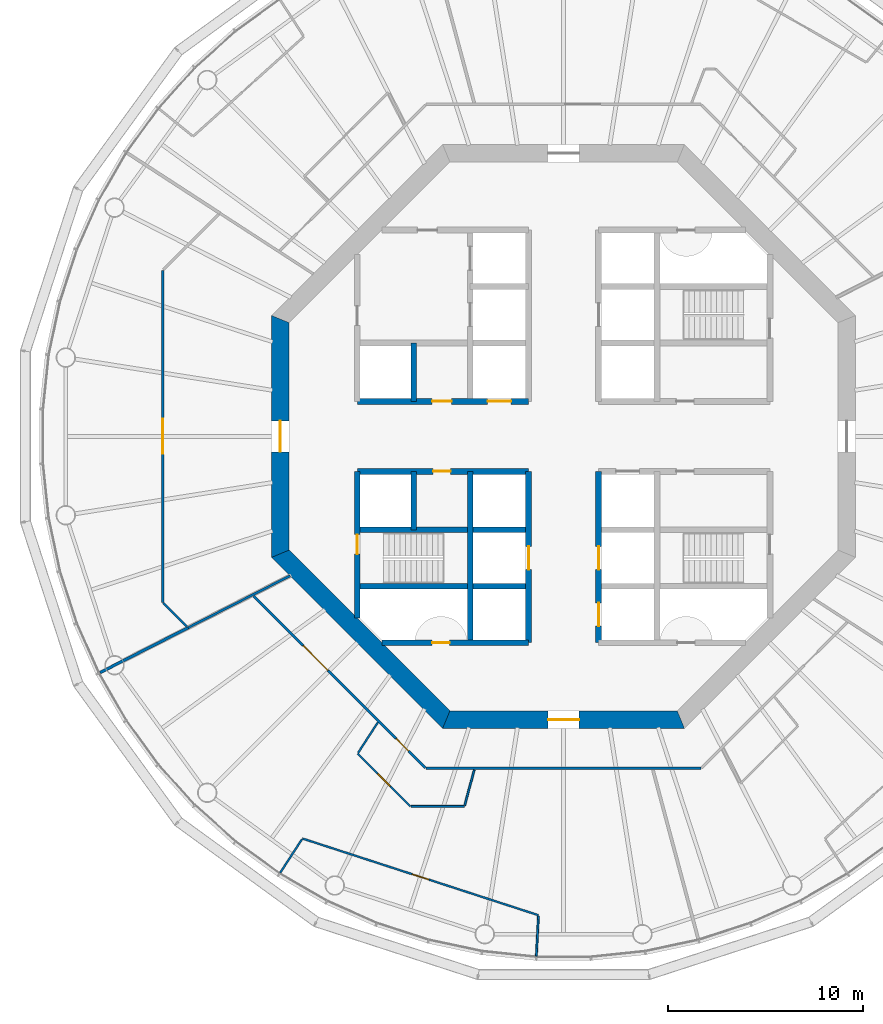
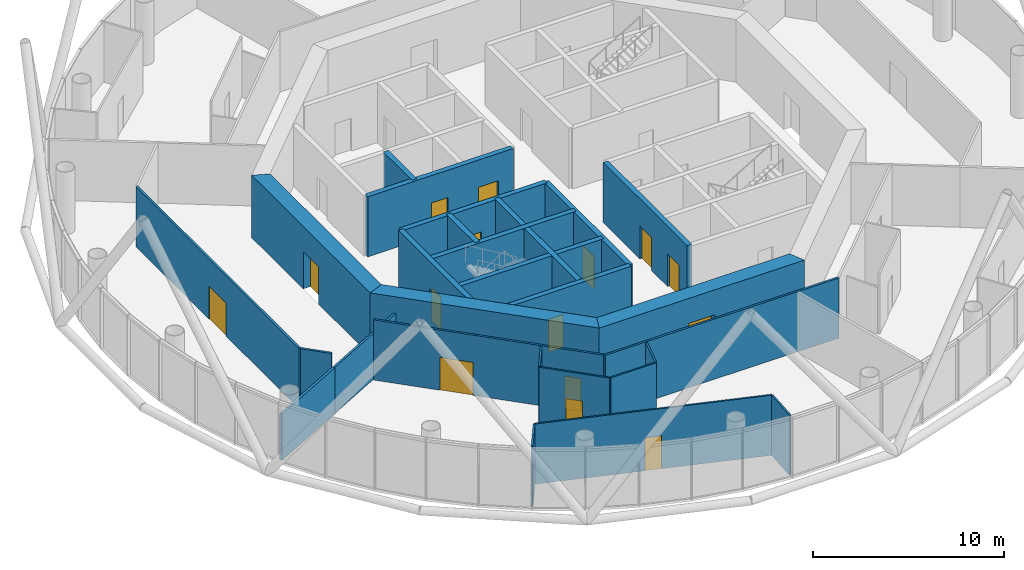
# One storey, part 3 of 13: 27 walls, 15 doors, 15 openings.
"""IFC4 building model written with IfcOpenShell, lengths in metres."""

from ifc_helpers import new_model, si_unit, direction, frame, frame_2d, origin, place, context, subcontext, project, spatial, polyline, rectangle, outline, extrude, material, layer, layer_set, type_object, element, fill, save


model = new_model("IFC4")

# Units and contexts
model_context = context("Model", 3, precision=1e-05, world=origin(), true_north=direction((0.0, 1.0)))
body_context = subcontext(model_context, "Body", "Model", "MODEL_VIEW")
ifc_project = project(units=[si_unit("LENGTHUNIT", "METRE"), si_unit("AREAUNIT", "SQUARE_METRE"), si_unit("VOLUMEUNIT", "CUBIC_METRE"), si_unit("PLANEANGLEUNIT", "RADIAN"), si_unit("MASSUNIT", "GRAM", prefix="KILO")], contexts=[model_context])

# Site, building, storey
site_placement = place(None, origin())
site = spatial("IfcSite", under=ifc_project, at=site_placement, CompositionType="ELEMENT")
building_placement = place(site_placement, origin())
building = spatial("IfcBuilding", under=site, at=building_placement, Name="Entoto Ring Tower", CompositionType="ELEMENT")
storey_placement = place(building_placement, frame((0.0, 0.0, 218.0)))
storey = spatial("IfcBuildingStorey", under=building, at=storey_placement, Name="L50", CompositionType="ELEMENT", Elevation=218.0)

# Wall, openings, doors
ifc_material_1 = material(Name="Concrete C40/50", Category="concrete")
ifc_layer_1 = layer(ifc_material_1, 0.300048828125)
ifc_layer_set_1 = layer_set([ifc_layer_1], Name="Concrete C40/50")
wall_type_1 = type_object("IfcWallType", Name="Core enclosure wall 300 mm reinforced concrete", PredefinedType="SOLIDWALL", material=ifc_layer_set_1)
wall_1_placement = place(storey_placement, frame((91.800048828125, 69.39990234375, 0.0), z_axis=(0.0, 0.0, 1.0), x_axis=(0.0, 1.0, 0.0)))
wall_1 = element("IfcWall", 1, at=wall_1_placement, inside=storey, type_object=wall_type_1, Name="wall-L50-005", PredefinedType="SOLIDWALL", context=body_context, shape_type="SweptSolid", body=[
    extrude(rectangle(XDim=8.800048828125, YDim=0.300048828125, at=frame_2d((4.39990234375, 0.0))), origin(), (0.0, 0.0, 1.0), 3.85009765625),
])
opening_1_placement = place(wall_1_placement, frame((3.75, 0.0, 0.0)))
opening_1 = element("IfcOpeningElement", 2, at=opening_1_placement, cuts=wall_1, Name="Opening LD", PredefinedType="OPENING", context=body_context, shape_type="SweptSolid", body=[
    extrude(rectangle(XDim=1.199951171875, YDim=2.10009765625, at=frame_2d((0.60009765625, 1.050048828125))), frame((0.0, 0.16015625, 0.0), z_axis=(0.0, -1.0, 0.0), x_axis=(1.0, 0.0, 0.0)), (0.0, 0.0, 1.0), 0.320068359375),
])
opening_2_placement = place(wall_1_placement, frame((0.85009765625, 0.0, 0.0)))
opening_2 = element("IfcOpeningElement", 3, at=opening_2_placement, cuts=wall_1, Name="Opening LD", PredefinedType="OPENING", context=body_context, shape_type="SweptSolid", body=[
    extrude(rectangle(XDim=1.199951171875, YDim=2.10009765625, at=frame_2d((0.60009765625, 1.050048828125))), frame((0.0, 0.16015625, 0.0), z_axis=(0.0, -1.0, 0.0), x_axis=(1.0, 0.0, 0.0)), (0.0, 0.0, 1.0), 0.320068359375),
])
ifc_material_2 = material(Name="Steel and glass door leaf", Category="steel")
ifc_layer_2 = layer(ifc_material_2, 0.050048828125)
ifc_layer_set_2 = layer_set([ifc_layer_2], Name="Steel and glass door leaf")
door_type_1 = type_object("IfcDoorType", Name="Landing door 1200 x 2100 sliding", OperationType="DOUBLE_DOOR_SLIDING", PredefinedType="DOOR", material=ifc_layer_set_2)
door_1_placement = place(opening_1_placement, origin())
door_1 = element("IfcDoor", 4, at=door_1_placement, inside=storey, type_object=door_type_1, Name="Landing door LB2-MR", OperationType="SLIDING_TO_RIGHT", OverallHeight=2.10009765625, OverallWidth=1.199951171875, PredefinedType="DOOR", context=body_context, shape_type="SweptSolid", body=[
    extrude(rectangle(XDim=1.199951171875, YDim=2.10009765625, at=frame_2d((0.60009765625, 1.050048828125))), frame((0.0, 0.02490234375, 0.0), z_axis=(0.0, -1.0, 0.0), x_axis=(1.0, 0.0, 0.0)), (0.0, 0.0, 1.0), 0.050048828125),
])
fill(opening_1, door_1)
door_2_placement = place(opening_2_placement, origin())
door_2 = element("IfcDoor", 5, at=door_2_placement, inside=storey, type_object=door_type_1, Name="Landing door LB3-MR", OperationType="SLIDING_TO_RIGHT", OverallHeight=2.10009765625, OverallWidth=1.199951171875, PredefinedType="DOOR", context=body_context, shape_type="SweptSolid", body=[
    extrude(rectangle(XDim=1.199951171875, YDim=2.10009765625, at=frame_2d((0.60009765625, 1.050048828125))), frame((0.0, 0.02490234375, 0.0), z_axis=(0.0, -1.0, 0.0), x_axis=(1.0, 0.0, 0.0)), (0.0, 0.0, 1.0), 0.050048828125),
])
fill(opening_2, door_2)

# Wall, opening, door
wall_2_placement = place(storey_placement, frame((88.199951171875, 69.39990234375, 0.0), z_axis=(0.0, 0.0, 1.0), x_axis=(0.0, 1.0, 0.0)))
wall_2 = element("IfcWall", 6, at=wall_2_placement, inside=storey, type_object=wall_type_1, Name="wall-L50-007", PredefinedType="SOLIDWALL", context=body_context, shape_type="SweptSolid", body=[
    extrude(rectangle(XDim=8.800048828125, YDim=0.300048828125, at=frame_2d((4.39990234375, 0.0))), origin(), (0.0, 0.0, 1.0), 3.85009765625),
])
opening_3_placement = place(wall_2_placement, frame((3.75, 0.0, 0.0)))
opening_3 = element("IfcOpeningElement", 7, at=opening_3_placement, cuts=wall_2, Name="Opening LD", PredefinedType="OPENING", context=body_context, shape_type="SweptSolid", body=[
    extrude(rectangle(XDim=1.199951171875, YDim=2.10009765625, at=frame_2d((0.60009765625, 1.050048828125))), frame((0.0, 0.16015625, 0.0), z_axis=(0.0, -1.0, 0.0), x_axis=(1.0, 0.0, 0.0)), (0.0, 0.0, 1.0), 0.320068359375),
])
door_3_placement = place(opening_3_placement, origin())
door_3 = element("IfcDoor", 8, at=door_3_placement, inside=storey, type_object=door_type_1, Name="Landing door LB4-MR", OperationType="SLIDING_TO_RIGHT", OverallHeight=2.10009765625, OverallWidth=1.199951171875, PredefinedType="DOOR", context=body_context, shape_type="SweptSolid", body=[
    extrude(rectangle(XDim=1.199951171875, YDim=2.10009765625, at=frame_2d((0.60009765625, 1.050048828125))), frame((0.0, 0.02490234375, 0.0), z_axis=(0.0, -1.0, 0.0), x_axis=(1.0, 0.0, 0.0)), (0.0, 0.0, 1.0), 0.050048828125),
])
fill(opening_3, door_3)

# Walls
wall_3_placement = place(storey_placement, frame((85.199951171875, 69.39990234375, 0.0), z_axis=(0.0, 0.0, 1.0), x_axis=(0.0, 1.0, 0.0)))
element("IfcWall", 9, at=wall_3_placement, inside=storey, type_object=wall_type_1, Name="wall-L50-009", PredefinedType="SOLIDWALL", context=body_context, shape_type="SweptSolid", body=[
    extrude(rectangle(XDim=8.800048828125, YDim=0.300048828125, at=frame_2d((4.39990234375, 0.0))), origin(), (0.0, 0.0, 1.0), 3.85009765625),
])
for number, where, z_axis, x_axis, name in (
    (10, (82.300048828125, 75.199951171875, 0.0), (0.0, 0.0, 1.0), (0.0, 1.0, 0.0), "wall-L50-011"),
    (11, (82.300048828125, 81.800048828125, 0.0), (0.0, 0.0, 1.0), (0.0, 1.0, 0.0), "wall-L50-012"),
):
    element("IfcWall", number, at=place(storey_placement, frame(where, z_axis=z_axis, x_axis=x_axis)), inside=storey, type_object=wall_type_1, Name=name, PredefinedType="SOLIDWALL", context=body_context, shape_type="SweptSolid", body=[
        extrude(rectangle(XDim=3.0, YDim=0.300048828125, at=frame_2d((1.5, 0.0))), origin(), (0.0, 0.0, 1.0), 3.85009765625),
    ])

# Wall, opening, door
wall_4_placement = place(storey_placement, frame((79.39990234375, 70.65966796875, 0.0), z_axis=(0.0, 0.0, 1.0), x_axis=(0.0, 1.0, 0.0)))
wall_4 = element("IfcWall", 12, at=wall_4_placement, inside=storey, type_object=wall_type_1, Name="wall-L50-013", PredefinedType="SOLIDWALL", context=body_context, shape_type="SweptSolid", body=[
    extrude(rectangle(XDim=7.540283203125, YDim=0.300048828125, at=frame_2d((3.77001953125, 0.0))), origin(), (0.0, 0.0, 1.0), 3.85009765625),
])
opening_4_placement = place(wall_4_placement, frame((3.290283203125, 0.0, 0.0)))
opening_4 = element("IfcOpeningElement", 13, at=opening_4_placement, cuts=wall_4, Name="Opening K-55", PredefinedType="OPENING", context=body_context, shape_type="SweptSolid", body=[
    extrude(rectangle(XDim=1.0, YDim=2.10009765625, at=frame_2d((0.5, 1.050048828125))), frame((0.0, 0.16015625, 0.0), z_axis=(0.0, -1.0, 0.0), x_axis=(1.0, 0.0, 0.0)), (0.0, 0.0, 1.0), 0.320068359375),
])
ifc_material_3 = material(Name="Steel door leaf, fire rated", Category="steel")
ifc_layer_3 = layer(ifc_material_3, 0.050048828125)
ifc_layer_set_3 = layer_set([ifc_layer_3], Name="Steel door leaf, fire rated")
door_type_2 = type_object("IfcDoorType", Name="Fire door FD60 1000 x 2100 single leaf", OperationType="NOTDEFINED", PredefinedType="DOOR", material=ifc_layer_set_3)
door_4_placement = place(opening_4_placement, frame((1.0, 0.0, 0.0), z_axis=(0.0, 0.0, 1.0), x_axis=(-1.0, 0.0, 0.0)))
door_4 = element("IfcDoor", 14, at=door_4_placement, inside=storey, type_object=door_type_2, Name="Door K-55", OperationType="SINGLE_SWING_LEFT", OverallHeight=2.10009765625, OverallWidth=1.0, PredefinedType="DOOR", context=body_context, shape_type="SweptSolid", body=[
    extrude(rectangle(XDim=1.0, YDim=2.10009765625, at=frame_2d((0.5, 1.050048828125))), frame((0.0, 0.02490234375, 0.0), z_axis=(0.0, -1.0, 0.0), x_axis=(1.0, 0.0, 0.0)), (0.0, 0.0, 1.0), 0.050048828125),
])
fill(opening_4, door_4)

wall_5_placement = place(storey_placement, frame((80.65966796875, 69.39990234375, 0.0), z_axis=(0.0, 0.0, 1.0), x_axis=(1.0, 0.0, 0.0)))
wall_5 = element("IfcWall", 15, at=wall_5_placement, inside=storey, type_object=wall_type_1, Name="wall-L50-015", PredefinedType="SOLIDWALL", context=body_context, shape_type="SweptSolid", body=[
    extrude(rectangle(XDim=7.540283203125, YDim=0.300048828125, at=frame_2d((3.77001953125, 0.0))), origin(), (0.0, 0.0, 1.0), 3.85009765625),
])
opening_5_placement = place(wall_5_placement, frame((2.59033203125, 0.0, 0.0)))
opening_5 = element("IfcOpeningElement", 16, at=opening_5_placement, cuts=wall_5, Name="Opening K-62", PredefinedType="OPENING", context=body_context, shape_type="SweptSolid", body=[
    extrude(rectangle(XDim=0.89990234375, YDim=2.10009765625, at=frame_2d((0.449951171875, 1.050048828125))), frame((0.0, 0.16015625, 0.0), z_axis=(0.0, -1.0, 0.0), x_axis=(1.0, 0.0, 0.0)), (0.0, 0.0, 1.0), 0.320068359375),
])
ifc_material_4 = material(Name="Steel door leaf, fire rated", Category="steel")
ifc_layer_4 = layer(ifc_material_4, 0.050048828125)
ifc_layer_set_4 = layer_set([ifc_layer_4], Name="Steel door leaf, fire rated")
door_type_3 = type_object("IfcDoorType", Name="Riser door FD60 900 x 2100 single leaf", OperationType="NOTDEFINED", PredefinedType="DOOR", material=ifc_layer_set_4)
door_5_placement = place(opening_5_placement, origin())
door_5 = element("IfcDoor", 17, at=door_5_placement, inside=storey, type_object=door_type_3, Name="Door K-62", OperationType="SINGLE_SWING_RIGHT", OverallHeight=2.10009765625, OverallWidth=0.89990234375, PredefinedType="DOOR", context=body_context, shape_type="SweptSolid", body=[
    extrude(rectangle(XDim=0.89990234375, YDim=2.10009765625, at=frame_2d((0.449951171875, 1.050048828125))), frame((0.0, 0.02490234375, 0.0), z_axis=(0.0, -1.0, 0.0), x_axis=(1.0, 0.0, 0.0)), (0.0, 0.0, 1.0), 0.050048828125),
])
fill(opening_5, door_5)

# Walls
for number, where, z_axis, x_axis, name in (
    (18, (79.39990234375, 72.300048828125, 0.0), (0.0, 0.0, 1.0), (1.0, 0.0, 0.0), "wall-L50-017"),
    (19, (79.39990234375, 75.199951171875, 0.0), (0.0, 0.0, 1.0), (1.0, 0.0, 0.0), "wall-L50-019"),
):
    element("IfcWall", number, at=place(storey_placement, frame(where, z_axis=z_axis, x_axis=x_axis)), inside=storey, type_object=wall_type_1, Name=name, PredefinedType="SOLIDWALL", context=body_context, shape_type="SweptSolid", body=[
        extrude(rectangle(XDim=8.800048828125, YDim=0.300048828125, at=frame_2d((4.39990234375, 0.0))), origin(), (0.0, 0.0, 1.0), 3.85009765625),
    ])

# Wall, opening, door
wall_6_placement = place(storey_placement, frame((79.39990234375, 78.199951171875, 0.0), z_axis=(0.0, 0.0, 1.0), x_axis=(1.0, 0.0, 0.0)))
wall_6 = element("IfcWall", 20, at=wall_6_placement, inside=storey, type_object=wall_type_1, Name="wall-L50-021", PredefinedType="SOLIDWALL", context=body_context, shape_type="SweptSolid", body=[
    extrude(rectangle(XDim=8.800048828125, YDim=0.300048828125, at=frame_2d((4.39990234375, 0.0))), origin(), (0.0, 0.0, 1.0), 3.85009765625),
])
opening_6_placement = place(wall_6_placement, frame((3.89990234375, 0.0, 0.0)))
opening_6 = element("IfcOpeningElement", 21, at=opening_6_placement, cuts=wall_6, Name="Opening K-14", PredefinedType="OPENING", context=body_context, shape_type="SweptSolid", body=[
    extrude(rectangle(XDim=0.89990234375, YDim=2.10009765625, at=frame_2d((0.449951171875, 1.050048828125))), frame((0.0, 0.16015625, 0.0), z_axis=(0.0, -1.0, 0.0), x_axis=(1.0, 0.0, 0.0)), (0.0, 0.0, 1.0), 0.320068359375),
])
ifc_material_5 = material(Name="Steel door leaf, fire rated", Category="steel")
ifc_layer_5 = layer(ifc_material_5, 0.050048828125)
ifc_layer_set_5 = layer_set([ifc_layer_5], Name="Steel door leaf, fire rated")
door_type_4 = type_object("IfcDoorType", Name="Core door 900 x 2100 single leaf", OperationType="NOTDEFINED", PredefinedType="DOOR", material=ifc_layer_set_5)
door_6_placement = place(opening_6_placement, frame((0.89990234375, 0.0, 0.0), z_axis=(0.0, 0.0, 1.0), x_axis=(-1.0, 0.0, 0.0)))
door_6 = element("IfcDoor", 22, at=door_6_placement, inside=storey, type_object=door_type_4, Name="Door K-14", OperationType="SINGLE_SWING_LEFT", OverallHeight=2.10009765625, OverallWidth=0.89990234375, PredefinedType="DOOR", context=body_context, shape_type="SweptSolid", body=[
    extrude(rectangle(XDim=0.89990234375, YDim=2.10009765625, at=frame_2d((0.449951171875, 1.050048828125))), frame((0.0, 0.02490234375, 0.0), z_axis=(0.0, -1.0, 0.0), x_axis=(1.0, 0.0, 0.0)), (0.0, 0.0, 1.0), 0.050048828125),
])
fill(opening_6, door_6)

# Wall, openings, doors
wall_7_placement = place(storey_placement, frame((79.39990234375, 81.800048828125, 0.0), z_axis=(0.0, 0.0, 1.0), x_axis=(1.0, 0.0, 0.0)))
wall_7 = element("IfcWall", 23, at=wall_7_placement, inside=storey, type_object=wall_type_1, Name="wall-L50-023", PredefinedType="SOLIDWALL", context=body_context, shape_type="SweptSolid", body=[
    extrude(rectangle(XDim=8.800048828125, YDim=0.300048828125, at=frame_2d((4.39990234375, 0.0))), origin(), (0.0, 0.0, 1.0), 3.85009765625),
])
opening_7_placement = place(wall_7_placement, frame((6.699951171875, 0.0, 0.0)))
opening_7 = element("IfcOpeningElement", 24, at=opening_7_placement, cuts=wall_7, Name="Opening LD", PredefinedType="OPENING", context=body_context, shape_type="SweptSolid", body=[
    extrude(rectangle(XDim=1.199951171875, YDim=2.10009765625, at=frame_2d((0.60009765625, 1.050048828125))), frame((0.0, 0.16015625, 0.0), z_axis=(0.0, -1.0, 0.0), x_axis=(1.0, 0.0, 0.0)), (0.0, 0.0, 1.0), 0.320068359375),
])
opening_8_placement = place(wall_7_placement, frame((3.85009765625, 0.0, 0.0)))
opening_8 = element("IfcOpeningElement", 25, at=opening_8_placement, cuts=wall_7, Name="Opening K-13", PredefinedType="OPENING", context=body_context, shape_type="SweptSolid", body=[
    extrude(rectangle(XDim=1.0, YDim=2.10009765625, at=frame_2d((0.5, 1.050048828125))), frame((0.0, 0.16015625, 0.0), z_axis=(0.0, -1.0, 0.0), x_axis=(1.0, 0.0, 0.0)), (0.0, 0.0, 1.0), 0.320068359375),
])
ifc_material_6 = material(Name="Steel door leaf, fire rated", Category="steel")
ifc_layer_6 = layer(ifc_material_6, 0.050048828125)
ifc_layer_set_6 = layer_set([ifc_layer_6], Name="Steel door leaf, fire rated")
door_type_5 = type_object("IfcDoorType", Name="Accessible door 1000 x 2100 single leaf", OperationType="NOTDEFINED", PredefinedType="DOOR", material=ifc_layer_set_6)
door_7_placement = place(opening_8_placement, origin())
door_7 = element("IfcDoor", 26, at=door_7_placement, inside=storey, type_object=door_type_5, Name="Door K-13", OperationType="SINGLE_SWING_LEFT", OverallHeight=2.10009765625, OverallWidth=1.0, PredefinedType="DOOR", context=body_context, shape_type="SweptSolid", body=[
    extrude(rectangle(XDim=1.0, YDim=2.10009765625, at=frame_2d((0.5, 1.050048828125))), frame((0.0, 0.02490234375, 0.0), z_axis=(0.0, -1.0, 0.0), x_axis=(1.0, 0.0, 0.0)), (0.0, 0.0, 1.0), 0.050048828125),
])
fill(opening_8, door_7)
door_8_placement = place(opening_7_placement, origin())
door_8 = element("IfcDoor", 27, at=door_8_placement, inside=storey, type_object=door_type_1, Name="Landing door LB5-MR", OperationType="SLIDING_TO_LEFT", OverallHeight=2.10009765625, OverallWidth=1.199951171875, PredefinedType="DOOR", context=body_context, shape_type="SweptSolid", body=[
    extrude(rectangle(XDim=1.199951171875, YDim=2.10009765625, at=frame_2d((0.60009765625, 1.050048828125))), frame((0.0, 0.02490234375, 0.0), z_axis=(0.0, -1.0, 0.0), x_axis=(1.0, 0.0, 0.0)), (0.0, 0.0, 1.0), 0.050048828125),
])
fill(opening_7, door_8)

# Wall, opening, door
ifc_material_7 = material(Name="Concrete C50/60", Category="concrete")
ifc_layer_7 = layer(ifc_material_7, 0.89990234375)
ifc_layer_set_7 = layer_set([ifc_layer_7], Name="Concrete C50/60")
wall_type_2 = type_object("IfcWallType", Name="Core shear wall 900 mm reinforced concrete C50/60", PredefinedType="SHEAR", material=ifc_layer_set_7)
wall_8_placement = place(storey_placement, frame((75.449951171875, 86.02685546875, 0.0), z_axis=(0.0, 0.0, 1.0), x_axis=(0.0, -1.0, 0.0)))
wall_8 = element("IfcWall", 28, at=wall_8_placement, inside=storey, type_object=wall_type_2, Name="wall-L50-core-4", PredefinedType="SHEAR", context=body_context, shape_type="SweptSolid", body=[
    extrude(outline(polyline([(-0.186279296875, -0.449951171875), (12.239990234375, -0.449951171875), (11.867431640625, 0.449951171875), (0.186279296875, 0.449951171875), (-0.186279296875, -0.449951171875)])), origin(), (0.0, 0.0, 1.0), 4.0),
])
opening_9_placement = place(wall_8_placement, frame((5.226806640625, 0.0, 0.0)))
opening_9 = element("IfcOpeningElement", 29, at=opening_9_placement, cuts=wall_8, Name="Opening K-03", PredefinedType="OPENING", context=body_context, shape_type="SweptSolid", body=[
    extrude(rectangle(XDim=1.60009765625, YDim=2.39990234375, at=frame_2d((0.800048828125, 1.199951171875))), frame((0.0, 0.4599609375, 0.0), z_axis=(0.0, -1.0, 0.0), x_axis=(1.0, 0.0, 0.0)), (0.0, 0.0, 1.0), 0.919921875),
])
ifc_material_8 = material(Name="Steel door leaf, fire rated", Category="steel")
ifc_layer_8 = layer(ifc_material_8, 0.050048828125)
ifc_layer_set_8 = layer_set([ifc_layer_8], Name="Steel door leaf, fire rated")
door_type_6 = type_object("IfcDoorType", Name="Entrance door FD60 1600 x 2400 double leaf", OperationType="DOUBLE_DOOR_SINGLE_SWING", PredefinedType="DOOR", material=ifc_layer_set_8)
door_9_placement = place(opening_9_placement, origin())
door_9 = element("IfcDoor", 30, at=door_9_placement, inside=storey, type_object=door_type_6, Name="Entrance door K-03", OperationType="DOUBLE_DOOR_SINGLE_SWING", OverallHeight=2.39990234375, OverallWidth=1.60009765625, PredefinedType="DOOR", context=body_context, shape_type="SweptSolid", body=[
    extrude(rectangle(XDim=1.60009765625, YDim=2.39990234375, at=frame_2d((0.800048828125, 1.199951171875))), frame((0.0, 0.02490234375, 0.0), z_axis=(0.0, -1.0, 0.0), x_axis=(1.0, 0.0, 0.0)), (0.0, 0.0, 1.0), 0.050048828125),
])
fill(opening_9, door_9)

# Wall
wall_9_placement = place(storey_placement, frame((75.449951171875, 73.97314453125, 0.0), z_axis=(0.0, 0.0, 1.0), x_axis=(0.707106781187, -0.707106781187, 0.0)))
element("IfcWall", 31, at=wall_9_placement, inside=storey, type_object=wall_type_2, Name="wall-L50-core-5", PredefinedType="SHEAR", context=body_context, shape_type="SweptSolid", body=[
    extrude(outline(polyline([(-0.186279296875, -0.449951171875), (12.239990234375, -0.449951171875), (11.867431640625, 0.449951171875), (0.186279296875, 0.449951171875), (-0.186279296875, -0.449951171875)])), origin(), (0.0, 0.0, 1.0), 4.0),
])

# Wall, opening, door
wall_10_placement = place(storey_placement, frame((83.97314453125, 65.449951171875, 0.0), z_axis=(0.0, 0.0, 1.0), x_axis=(1.0, 0.0, 0.0)))
wall_10 = element("IfcWall", 32, at=wall_10_placement, inside=storey, type_object=wall_type_2, Name="wall-L50-core-6", PredefinedType="SHEAR", context=body_context, shape_type="SweptSolid", body=[
    extrude(outline(polyline([(-0.186279296875, -0.449951171875), (12.239990234375, -0.449951171875), (11.867431640625, 0.449951171875), (0.186279296875, 0.449951171875), (-0.186279296875, -0.449951171875)])), origin(), (0.0, 0.0, 1.0), 4.0),
])
opening_10_placement = place(wall_10_placement, frame((5.226806640625, 0.0, 0.0)))
opening_10 = element("IfcOpeningElement", 33, at=opening_10_placement, cuts=wall_10, Name="Opening K-04", PredefinedType="OPENING", context=body_context, shape_type="SweptSolid", body=[
    extrude(rectangle(XDim=1.60009765625, YDim=2.39990234375, at=frame_2d((0.800048828125, 1.199951171875))), frame((0.0, 0.4599609375, 0.0), z_axis=(0.0, -1.0, 0.0), x_axis=(1.0, 0.0, 0.0)), (0.0, 0.0, 1.0), 0.919921875),
])
door_10_placement = place(opening_10_placement, origin())
door_10 = element("IfcDoor", 34, at=door_10_placement, inside=storey, type_object=door_type_6, Name="Entrance door K-04", OperationType="DOUBLE_DOOR_SINGLE_SWING", OverallHeight=2.39990234375, OverallWidth=1.60009765625, PredefinedType="DOOR", context=body_context, shape_type="SweptSolid", body=[
    extrude(rectangle(XDim=1.60009765625, YDim=2.39990234375, at=frame_2d((0.800048828125, 1.199951171875))), frame((0.0, 0.02490234375, 0.0), z_axis=(0.0, -1.0, 0.0), x_axis=(1.0, 0.0, 0.0)), (0.0, 0.0, 1.0), 0.050048828125),
])
fill(opening_10, door_10)

ifc_material_9 = material(Name="Fire-resisting plasterboard on steel studs", Category="steel")
ifc_layer_9 = layer(ifc_material_9, 0.125)
ifc_layer_set_9 = layer_set([ifc_layer_9], Name="Fire-resisting plasterboard on steel studs")
wall_type_3 = type_object("IfcWallType", Name="Corridor wall 125 mm one-hour plasterboard on steel studs", PredefinedType="PARTITIONING", material=ifc_layer_set_9)
wall_11_placement = place(storey_placement, frame((69.39990234375, 71.46728515625, 0.0), z_axis=(0.0, 0.0, 1.0), x_axis=(0.0, 1.0, 0.0)))
wall_11 = element("IfcWall", 35, at=wall_11_placement, inside=storey, type_object=wall_type_3, Name="partition-L50-001", PredefinedType="PARTITIONING", context=body_context, shape_type="SweptSolid", body=[
    extrude(rectangle(XDim=17.0654296875, YDim=0.125, at=frame_2d((8.53271484375, 0.0))), origin(), (0.0, 0.0, 1.0), 3.85009765625),
])
opening_11_placement = place(wall_11_placement, frame((7.6328125, 0.0, 0.0)))
opening_11 = element("IfcOpeningElement", 36, at=opening_11_placement, cuts=wall_11, Name="Opening A22-D02", PredefinedType="OPENING", context=body_context, shape_type="SweptSolid", body=[
    extrude(rectangle(XDim=1.800048828125, YDim=2.10009765625, at=frame_2d((0.89990234375, 1.050048828125))), frame((0.0, 0.072509765625, 0.0), z_axis=(0.0, -1.0, 0.0), x_axis=(1.0, 0.0, 0.0)), (0.0, 0.0, 1.0), 0.14501953125),
])
ifc_material_10 = material(Name="Fire-resisting timber door set", Category="wood")
door_type_7 = type_object("IfcDoorType", Name="Door 1800 x 2100 double leaf FD30S fire door", OperationType="DOUBLE_DOOR_SINGLE_SWING", PredefinedType="DOOR", material=ifc_material_10)
door_11_placement = place(opening_11_placement, origin())
door_11 = element("IfcDoor", 37, at=door_11_placement, inside=storey, type_object=door_type_7, Name="Door A22-D02", OperationType="DOUBLE_DOOR_SINGLE_SWING", OverallHeight=2.10009765625, OverallWidth=1.800048828125, PredefinedType="DOOR", context=body_context, shape_type="SweptSolid", body=[
    extrude(rectangle(XDim=1.800048828125, YDim=2.10009765625, at=frame_2d((0.89990234375, 1.050048828125))), frame((0.0, 0.02490234375, 0.0), z_axis=(0.0, -1.0, 0.0), x_axis=(1.0, 0.0, 0.0)), (0.0, 0.0, 1.0), 0.050048828125),
])
fill(opening_11, door_11)

# Wall
wall_12_placement = place(storey_placement, frame((82.9326171875, 62.9375, 0.0), z_axis=(0.0, 0.0, 1.0), x_axis=(1.0, 0.0, 0.0)))
element("IfcWall", 38, at=wall_12_placement, inside=storey, type_object=wall_type_3, Name="partition-L50-003", PredefinedType="PARTITIONING", context=body_context, shape_type="SweptSolid", body=[
    extrude(rectangle(XDim=14.134765625, YDim=0.125, at=frame_2d((7.0673828125, 0.0))), origin(), (0.0, 0.0, 1.0), 3.85009765625),
])

# Wall, openings, doors
wall_13_placement = place(storey_placement, frame((82.9013671875, 62.968505859375, 0.0), z_axis=(0.0, 0.0, 1.0), x_axis=(-0.707106781187, 0.707106781187, 0.0)))
wall_13 = element("IfcWall", 39, at=wall_13_placement, inside=storey, type_object=wall_type_3, Name="partition-L50-005", PredefinedType="PARTITIONING", context=body_context, shape_type="SweptSolid", body=[
    extrude(rectangle(XDim=12.481689453125, YDim=0.125, at=frame_2d((6.24072265625, 0.0))), origin(), (0.0, 0.0, 1.0), 3.85009765625),
])
opening_12_placement = place(wall_13_placement, frame((7.08203125, 0.0, 0.0)))
opening_12 = element("IfcOpeningElement", 40, at=opening_12_placement, cuts=wall_13, Name="Opening A22-D10", PredefinedType="OPENING", context=body_context, shape_type="SweptSolid", body=[
    extrude(rectangle(XDim=1.800048828125, YDim=2.10009765625, at=frame_2d((0.89990234375, 1.050048828125))), frame((0.0, 0.072509765625, 0.0), z_axis=(0.0, -1.0, 0.0), x_axis=(1.0, 0.0, 0.0)), (0.0, 0.0, 1.0), 0.14501953125),
])
opening_13_placement = place(wall_13_placement, frame((1.2265625, 0.0, 0.0)))
opening_13 = element("IfcOpeningElement", 41, at=opening_13_placement, cuts=wall_13, Name="Opening A22-D12", PredefinedType="OPENING", context=body_context, shape_type="SweptSolid", body=[
    extrude(rectangle(XDim=0.89990234375, YDim=2.10009765625, at=frame_2d((0.449951171875, 1.050048828125))), frame((0.0, 0.072509765625, 0.0), z_axis=(0.0, -1.0, 0.0), x_axis=(1.0, 0.0, 0.0)), (0.0, 0.0, 1.0), 0.14501953125),
])
ifc_material_11 = material(Name="Fire-resisting timber door set", Category="wood")
door_type_8 = type_object("IfcDoorType", Name="Door 1000 x 2100 single leaf FD30S fire door", OperationType="NOTDEFINED", PredefinedType="DOOR", material=ifc_material_11)
door_12_placement = place(opening_13_placement, origin())
door_12 = element("IfcDoor", 42, at=door_12_placement, inside=storey, type_object=door_type_8, Name="Door A22-D12", OperationType="SINGLE_SWING_RIGHT", OverallHeight=2.10009765625, OverallWidth=0.89990234375, PredefinedType="DOOR", context=body_context, shape_type="SweptSolid", body=[
    extrude(rectangle(XDim=0.89990234375, YDim=2.10009765625, at=frame_2d((0.449951171875, 1.050048828125))), frame((0.0, 0.02490234375, 0.0), z_axis=(0.0, -1.0, 0.0), x_axis=(1.0, 0.0, 0.0)), (0.0, 0.0, 1.0), 0.050048828125),
])
fill(opening_13, door_12)
door_13_placement = place(opening_12_placement, origin())
door_13 = element("IfcDoor", 43, at=door_13_placement, inside=storey, type_object=door_type_7, Name="Door A22-D10", OperationType="DOUBLE_DOOR_SINGLE_SWING", OverallHeight=2.10009765625, OverallWidth=1.800048828125, PredefinedType="DOOR", context=body_context, shape_type="SweptSolid", body=[
    extrude(rectangle(XDim=1.800048828125, YDim=2.10009765625, at=frame_2d((0.89990234375, 1.050048828125))), frame((0.0, 0.02490234375, 0.0), z_axis=(0.0, -1.0, 0.0), x_axis=(1.0, 0.0, 0.0)), (0.0, 0.0, 1.0), 0.050048828125),
])
fill(opening_12, door_13)

# Walls
wall_14_placement = place(storey_placement, frame((70.630615234375, 70.236572265625, 0.0), z_axis=(0.0, 0.0, 1.0), x_axis=(-0.707106781187, 0.707106781187, 0.0)))
element("IfcWall", 44, at=wall_14_placement, inside=storey, type_object=wall_type_3, Name="partition-L50-015", PredefinedType="PARTITIONING", context=body_context, shape_type="SweptSolid", body=[
    extrude(rectangle(XDim=1.6962890625, YDim=0.125, at=frame_2d((0.84814453125, 0.0))), origin(), (0.0, 0.0, 1.0), 3.85009765625),
])
ifc_material_12 = material(Name="Fire-resisting plasterboard on steel studs", Category="steel")
ifc_layer_10 = layer(ifc_material_12, 0.125)
ifc_layer_set_10 = layer_set([ifc_layer_10], Name="Fire-resisting plasterboard on steel studs")
wall_type_4 = type_object("IfcWallType", Name="Corridor wall 125 mm one-hour plasterboard on steel studs, 2950 mm high", PredefinedType="PARTITIONING", material=ifc_layer_set_10)
wall_15_placement = place(storey_placement, frame((70.70068359375, 70.16650390625, 0.0), z_axis=(0.0, 0.0, 1.0), x_axis=(0.891009750901, 0.453984166905, 0.0)))
element("IfcWall", 45, at=wall_15_placement, inside=storey, type_object=wall_type_4, Name="partition-L50-010", PredefinedType="PARTITIONING", context=body_context, shape_type="SweptSolid", body=[
    extrude(rectangle(XDim=5.88818359375, YDim=0.125, at=frame_2d((2.944091796875, 0.0))), origin(), (0.0, 0.0, 1.0), 2.949951171875),
])

# Wall, opening, door
ifc_material_13 = material(Name="Plasterboard on steel studs", Category="steel")
ifc_layer_11 = layer(ifc_material_13, 0.10009765625)
ifc_layer_set_11 = layer_set([ifc_layer_11], Name="Plasterboard on steel studs")
wall_type_5 = type_object("IfcWallType", Name="Partition 100 mm plasterboard on steel studs", PredefinedType="PARTITIONING", material=ifc_layer_set_11)
wall_16_placement = place(storey_placement, frame((88.71044921875, 55.393798828125, 0.0), z_axis=(0.0, 0.0, 1.0), x_axis=(-0.951056291427, 0.309017686447, 0.0)))
wall_16 = element("IfcWall", 46, at=wall_16_placement, inside=storey, type_object=wall_type_5, Name="partition-L50-023", PredefinedType="PARTITIONING", context=body_context, shape_type="SweptSolid", body=[
    extrude(rectangle(XDim=12.754638671875, YDim=0.10009765625, at=frame_2d((6.37744140625, 0.0))), origin(), (0.0, 0.0, 1.0), 3.85009765625),
])
opening_14_placement = place(wall_16_placement, frame((5.92724609375, 0.0, 0.0)))
opening_14 = element("IfcOpeningElement", 47, at=opening_14_placement, cuts=wall_16, Name="Opening A22-D13", PredefinedType="OPENING", context=body_context, shape_type="SweptSolid", body=[
    extrude(rectangle(XDim=0.89990234375, YDim=2.10009765625, at=frame_2d((0.449951171875, 1.050048828125))), frame((0.0, 0.06005859375, 0.0), z_axis=(0.0, -1.0, 0.0), x_axis=(1.0, 0.0, 0.0)), (0.0, 0.0, 1.0), 0.1201171875),
])
ifc_material_14 = material(Name="Veneered timber door leaf in timber frame", Category="wood")
door_type_9 = type_object("IfcDoorType", Name="Door 900 x 2100 single leaf timber veneer", OperationType="NOTDEFINED", PredefinedType="DOOR", material=ifc_material_14)
door_14_placement = place(opening_14_placement, origin())
door_14 = element("IfcDoor", 48, at=door_14_placement, inside=storey, type_object=door_type_9, Name="Door A22-D13", OperationType="SINGLE_SWING_RIGHT", OverallHeight=2.10009765625, OverallWidth=0.89990234375, PredefinedType="DOOR", context=body_context, shape_type="SweptSolid", body=[
    extrude(rectangle(XDim=0.89990234375, YDim=2.10009765625, at=frame_2d((0.449951171875, 1.050048828125))), frame((0.0, 0.02490234375, 0.0), z_axis=(0.0, -1.0, 0.0), x_axis=(1.0, 0.0, 0.0)), (0.0, 0.0, 1.0), 0.050048828125),
])
fill(opening_14, door_14)

wall_17_placement = place(storey_placement, frame((82.124755859375, 60.987548828125, 0.0), z_axis=(0.0, 0.0, 1.0), x_axis=(-0.707106781187, 0.707106781187, 0.0)))
wall_17 = element("IfcWall", 49, at=wall_17_placement, inside=storey, type_object=wall_type_5, Name="partition-L50-030", PredefinedType="PARTITIONING", context=body_context, shape_type="SweptSolid", body=[
    extrude(rectangle(XDim=3.833740234375, YDim=0.10009765625, at=frame_2d((1.9169921875, 0.0))), origin(), (0.0, 0.0, 1.0), 3.85009765625),
])
opening_15_placement = place(wall_17_placement, frame((1.467041015625, 0.0, 0.0)))
opening_15 = element("IfcOpeningElement", 50, at=opening_15_placement, cuts=wall_17, Name="Opening A22-D11", PredefinedType="OPENING", context=body_context, shape_type="SweptSolid", body=[
    extrude(rectangle(XDim=0.89990234375, YDim=2.10009765625, at=frame_2d((0.449951171875, 1.050048828125))), frame((0.0, 0.06005859375, 0.0), z_axis=(0.0, -1.0, 0.0), x_axis=(1.0, 0.0, 0.0)), (0.0, 0.0, 1.0), 0.1201171875),
])
door_15_placement = place(opening_15_placement, frame((0.89990234375, 0.0, 0.0), z_axis=(0.0, 0.0, 1.0), x_axis=(-1.0, 0.0, 0.0)))
door_15 = element("IfcDoor", 51, at=door_15_placement, inside=storey, type_object=door_type_9, Name="Door A22-D11", OperationType="SINGLE_SWING_LEFT", OverallHeight=2.10009765625, OverallWidth=0.89990234375, PredefinedType="DOOR", context=body_context, shape_type="SweptSolid", body=[
    extrude(rectangle(XDim=0.89990234375, YDim=2.10009765625, at=frame_2d((0.449951171875, 1.050048828125))), frame((0.0, 0.02490234375, 0.0), z_axis=(0.0, -1.0, 0.0), x_axis=(1.0, 0.0, 0.0)), (0.0, 0.0, 1.0), 0.050048828125),
])
fill(opening_15, door_15)

# Walls
wall_18_placement = place(storey_placement, frame((82.159912109375, 60.987548828125, 0.0), z_axis=(0.0, 0.0, 1.0), x_axis=(1.0, 0.0, 0.0)))
element("IfcWall", 52, at=wall_18_placement, inside=storey, type_object=wall_type_5, Name="partition-L50-031", PredefinedType="PARTITIONING", context=body_context, shape_type="SweptSolid", body=[
    extrude(rectangle(XDim=2.74560546875, YDim=0.10009765625, at=frame_2d((1.372802734375, 0.0))), origin(), (0.0, 0.0, 1.0), 3.85009765625),
])
for number, where, z_axis, x_axis, name in (
    (53, (88.6005859375, 53.296630859375, 0.0), (0.0, 0.0, 1.0), (0.052352747294, 0.998628654631, 0.0), "partition-L50-034"),
    (54, (75.436279296875, 57.573974609375, 0.0), (0.0, 0.0, 1.0), (0.544666304989, 0.838652857987, 0.0), "partition-L50-035"),
):
    element("IfcWall", number, at=place(storey_placement, frame(where, z_axis=z_axis, x_axis=x_axis)), inside=storey, type_object=wall_type_5, Name=name, PredefinedType="PARTITIONING", context=body_context, shape_type="SweptSolid", body=[
        extrude(rectangle(XDim=2.052001953125, YDim=0.10009765625, at=frame_2d((1.02587890625, 0.0))), origin(), (0.0, 0.0, 1.0), 3.85009765625),
    ])
wall_19_placement = place(storey_placement, frame((84.918212890625, 61.033935546875, 0.0), z_axis=(0.0, 0.0, 1.0), x_axis=(0.258738234287, 0.965947475859, 0.0)))
element("IfcWall", 55, at=wall_19_placement, inside=storey, type_object=wall_type_5, Name="partition-L50-039", PredefinedType="PARTITIONING", context=body_context, shape_type="SweptSolid", body=[
    extrude(rectangle(XDim=1.892822265625, YDim=0.10009765625, at=frame_2d((0.9462890625, 0.0))), origin(), (0.0, 0.0, 1.0), 3.85009765625),
])
wall_20_placement = place(storey_placement, frame((79.440185546875, 63.739501953125, 0.0), z_axis=(0.0, 0.0, 1.0), x_axis=(0.54469009927, 0.83863740422, 0.0)))
element("IfcWall", 56, at=wall_20_placement, inside=storey, type_object=wall_type_5, Name="partition-L50-042", PredefinedType="PARTITIONING", context=body_context, shape_type="SweptSolid", body=[
    extrude(rectangle(XDim=1.870361328125, YDim=0.10009765625, at=frame_2d((0.93505859375, 0.0))), origin(), (0.0, 0.0, 1.0), 3.85009765625),
])
ifc_material_15 = material(Name="Fire-resisting acoustic plasterboard on steel studs", Category="steel")
ifc_layer_12 = layer(ifc_material_15, 0.14990234375)
ifc_layer_set_12 = layer_set([ifc_layer_12], Name="Fire-resisting acoustic plasterboard on steel studs")
wall_type_6 = type_object("IfcWallType", Name="Party wall 150 mm one-hour acoustic plasterboard on steel studs, 2950 mm high", PredefinedType="PARTITIONING", material=ifc_layer_set_12)
wall_21_placement = place(storey_placement, frame((66.174560546875, 67.8603515625, 0.0), z_axis=(0.0, 0.0, 1.0), x_axis=(0.891008318763, 0.453986977671, 0.0)))
element("IfcWall", 57, at=wall_21_placement, inside=storey, type_object=wall_type_6, Name="partition-L50-022", PredefinedType="PARTITIONING", context=body_context, shape_type="SweptSolid", body=[
    extrude(rectangle(XDim=5.079833984375, YDim=0.14990234375, at=frame_2d((2.5400390625, 0.0))), origin(), (0.0, 0.0, 1.0), 2.949951171875),
])

save(model, "model.ifc")
